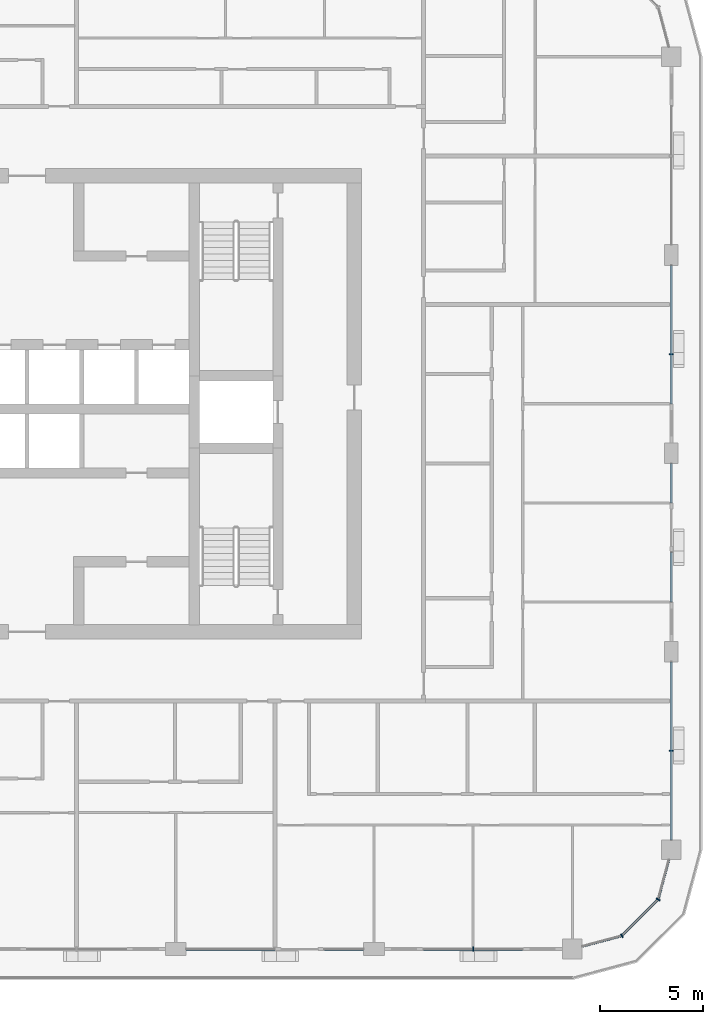
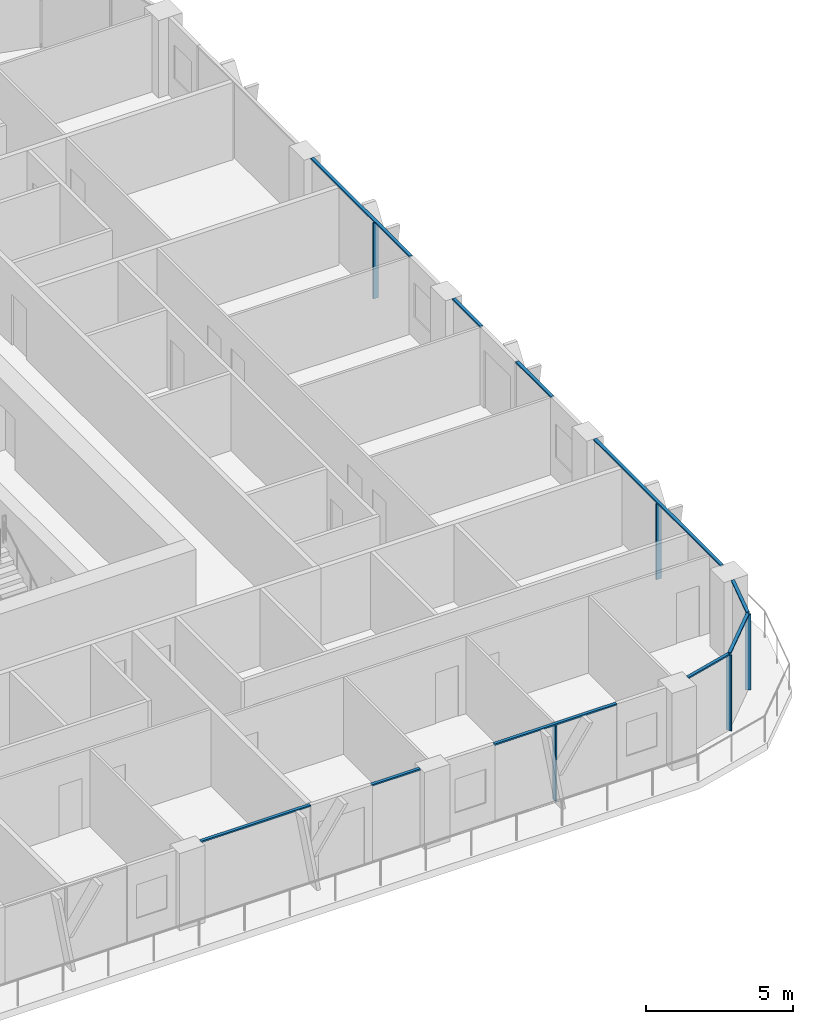
# One storey, part 4 of 21: 15 members, 6 elements without a shape of their own.
"""IFC4 building model written with IfcOpenShell, lengths in metres."""

from ifc_helpers import new_model, si_unit, direction, frame, origin, origin_2d, place, context, subcontext, project, spatial, rectangle, extrude, material, layer, layer_set, material_profile, profile_set, type_object, element, aggregate, save


model = new_model("IFC4")

# Units and contexts
model_context = context("Model", 3, precision=1e-05, world=origin(), true_north=direction((0.0, 1.0)))
body_context = subcontext(model_context, "Body", "Model", "MODEL_VIEW")
ifc_project = project(units=[si_unit("LENGTHUNIT", "METRE"), si_unit("AREAUNIT", "SQUARE_METRE"), si_unit("VOLUMEUNIT", "CUBIC_METRE"), si_unit("PLANEANGLEUNIT", "RADIAN"), si_unit("MASSUNIT", "GRAM", prefix="KILO")], contexts=[model_context])

# Site, building, storey
site_placement = place(None, origin())
site = spatial("IfcSite", under=ifc_project, at=site_placement, CompositionType="ELEMENT")
building_placement = place(site_placement, origin())
building = spatial("IfcBuilding", under=site, at=building_placement, Name="Madar Terraces", CompositionType="ELEMENT")
storey_placement = place(building_placement, frame((0.0, 0.0, 185.89990234375)))
storey = spatial("IfcBuildingStorey", under=building, at=storey_placement, Name="L48", CompositionType="ELEMENT", Elevation=185.89990234375)

# Curtain wall, member
ifc_material_1 = material(Name="Glass, ceramic frit dark grey, with black aluminium frame", Category="aluminium")
ifc_layer = layer(ifc_material_1, 0.199951171875)
ifc_layer_set = layer_set([ifc_layer], Name="Facade curtain wall, fritted glass")
curtain_wall_type = type_object("IfcCurtainWallType", Name="Facade curtain wall, fritted glass", PredefinedType="NOTDEFINED", material=ifc_layer_set)
curtain_wall_1_placement = place(storey_placement, origin())
curtain_wall_1 = element("IfcCurtainWall", 1, at=curtain_wall_1_placement, inside=storey, type_object=curtain_wall_type, Name="Outer skin curtain wall south bay 5", PredefinedType="NOTDEFINED")
ifc_material_2 = material(Name="Aluminium, black anodised", Category="aluminium")
ifc_material_profile_1 = material_profile(ifc_material_2, rectangle(XDim=0.199951171875, YDim=0.06005859375, at=origin_2d()), Name="Facade mullion 60x200")
ifc_profile_set_1 = profile_set([ifc_material_profile_1], Name="Aluminium, black anodised")
member_type_1 = type_object("IfcMemberType", Name="Facade mullion 60x200", PredefinedType="MULLION", material=ifc_profile_set_1)
member_1_placement = place(storey_placement, frame((52.800048828125, 0.0, 0.0), z_axis=(0.0, 0.0, 1.0), x_axis=(0.0, 1.0, 0.0)))
member_1 = element("IfcMember", 2, at=member_1_placement, type_object=member_type_1, Name="Mullion 1", PredefinedType="MULLION", context=body_context, shape_type="SweptSolid", body=[
    extrude(rectangle(XDim=0.199951171875, YDim=0.06005859375, at=origin_2d()), origin(), (0.0, 0.0, 1.0), 3.14013671875),
])

curtain_wall_2_placement = place(storey_placement, origin())
curtain_wall_2 = element("IfcCurtainWall", 3, at=curtain_wall_2_placement, inside=storey, type_object=curtain_wall_type, Name="Outer skin curtain wall east bay 1", PredefinedType="NOTDEFINED")
member_2_placement = place(storey_placement, frame((62.39990234375, 9.60009765625, 0.0), z_axis=(0.0, 0.0, 1.0), x_axis=(-1.0, 0.0, 0.0)))
member_2 = element("IfcMember", 4, at=member_2_placement, type_object=member_type_1, Name="Mullion 1", PredefinedType="MULLION", context=body_context, shape_type="SweptSolid", body=[
    extrude(rectangle(XDim=0.199951171875, YDim=0.06005859375, at=origin_2d()), origin(), (0.0, 0.0, 1.0), 3.14013671875),
])

curtain_wall_3_placement = place(storey_placement, origin())
curtain_wall_3 = element("IfcCurtainWall", 5, at=curtain_wall_3_placement, inside=storey, type_object=curtain_wall_type, Name="Outer skin curtain wall east bay 3", PredefinedType="NOTDEFINED")
member_3_placement = place(storey_placement, frame((62.39990234375, 28.800048828125, 0.0), z_axis=(0.0, 0.0, 1.0), x_axis=(-1.0, 0.0, 0.0)))
member_3 = element("IfcMember", 6, at=member_3_placement, type_object=member_type_1, Name="Mullion 1", PredefinedType="MULLION", context=body_context, shape_type="SweptSolid", body=[
    extrude(rectangle(XDim=0.199951171875, YDim=0.06005859375, at=origin_2d()), origin(), (0.0, 0.0, 1.0), 3.14013671875),
])

# Curtain wall, members
curtain_wall_4_placement = place(storey_placement, origin())
curtain_wall_4 = element("IfcCurtainWall", 7, at=curtain_wall_4_placement, inside=storey, type_object=curtain_wall_type, Name="Outer skin curtain wall south-east corner", PredefinedType="NOTDEFINED")
member_4_placement = place(storey_placement, frame((60.0, 0.64306640625, 0.0), z_axis=(0.0, 0.0, 1.0), x_axis=(-0.499999989586, 0.866025409797, 0.0)))
member_4 = element("IfcMember", 8, at=member_4_placement, type_object=member_type_1, Name="Mullion 1", PredefinedType="MULLION", context=body_context, shape_type="SweptSolid", body=[
    extrude(rectangle(XDim=0.199951171875, YDim=0.06005859375, at=origin_2d()), origin(), (0.0, 0.0, 1.0), 3.14013671875),
])
member_5_placement = place(storey_placement, frame((61.7568359375, 2.39990234375, 0.0), z_axis=(0.0, 0.0, 1.0), x_axis=(-0.866025409797, 0.499999989586, 0.0)))
member_5 = element("IfcMember", 9, at=member_5_placement, type_object=member_type_1, Name="Mullion 2", PredefinedType="MULLION", context=body_context, shape_type="SweptSolid", body=[
    extrude(rectangle(XDim=0.199951171875, YDim=0.06005859375, at=origin_2d()), origin(), (0.0, 0.0, 1.0), 3.14013671875),
])

curtain_wall_5_placement = place(storey_placement, origin())
curtain_wall_5 = element("IfcCurtainWall", 10, at=curtain_wall_5_placement, inside=storey, type_object=curtain_wall_type, Name="Outer skin curtain wall south bay 4", PredefinedType="NOTDEFINED")
ifc_material_3 = material(Name="Aluminium, black anodised", Category="aluminium")
ifc_material_profile_2 = material_profile(ifc_material_3, rectangle(XDim=0.1201171875, YDim=0.06005859375, at=origin_2d()), Name="Facade transom 60x120")
ifc_profile_set_2 = profile_set([ifc_material_profile_2], Name="Aluminium, black anodised")
member_type_2 = type_object("IfcMemberType", Name="Facade transom 60x120", PredefinedType="USERDEFINED", material=ifc_profile_set_2)
member_6_placement = place(storey_placement, frame((38.89990234375, 0.0, 3.170166015625), z_axis=(1.0, 0.0, 0.0), x_axis=(0.0, 1.0, 0.0)))
member_6 = element("IfcMember", 11, at=member_6_placement, type_object=member_type_2, Name="Transom 1", ObjectType="TRANSOM", PredefinedType="USERDEFINED", context=body_context, shape_type="SweptSolid", body=[
    extrude(rectangle(XDim=0.1201171875, YDim=0.06005859375, at=origin_2d()), origin(), (0.0, 0.0, 1.0), 4.300048828125),
])
member_7_placement = place(storey_placement, frame((45.60009765625, 0.0, 3.170166015625), z_axis=(1.0, 0.0, 0.0), x_axis=(0.0, 1.0, 0.0)))
member_7 = element("IfcMember", 12, at=member_7_placement, type_object=member_type_2, Name="Transom 2", ObjectType="TRANSOM", PredefinedType="USERDEFINED", context=body_context, shape_type="SweptSolid", body=[
    extrude(rectangle(XDim=0.1201171875, YDim=0.06005859375, at=origin_2d()), origin(), (0.0, 0.0, 1.0), 1.89990234375),
])
aggregate(curtain_wall_5, [member_6, member_7])

# Member
member_8_placement = place(storey_placement, frame((50.39990234375, 0.0, 3.170166015625), z_axis=(1.0, 0.0, 0.0), x_axis=(0.0, 1.0, 0.0)))
member_8 = element("IfcMember", 13, at=member_8_placement, type_object=member_type_2, Name="Transom 1", ObjectType="TRANSOM", PredefinedType="USERDEFINED", context=body_context, shape_type="SweptSolid", body=[
    extrude(rectangle(XDim=0.1201171875, YDim=0.06005859375, at=origin_2d()), origin(), (0.0, 0.0, 1.0), 4.800048828125),
])

aggregate(curtain_wall_1, [member_1, member_8])

member_9_placement = place(storey_placement, frame((62.39990234375, 5.27490234375, 3.170166015625), z_axis=(0.0, 1.0, 0.0), x_axis=(-1.0, 0.0, 0.0)))
member_9 = element("IfcMember", 14, at=member_9_placement, type_object=member_type_2, Name="Transom 1", ObjectType="TRANSOM", PredefinedType="USERDEFINED", context=body_context, shape_type="SweptSolid", body=[
    extrude(rectangle(XDim=0.1201171875, YDim=0.06005859375, at=origin_2d()), origin(), (0.0, 0.0, 1.0), 8.625),
])

aggregate(curtain_wall_2, [member_2, member_9])

# Curtain wall, members
curtain_wall_6_placement = place(storey_placement, origin())
curtain_wall_6 = element("IfcCurtainWall", 15, at=curtain_wall_6_placement, inside=storey, type_object=curtain_wall_type, Name="Outer skin curtain wall east bay 2", PredefinedType="NOTDEFINED")
member_10_placement = place(storey_placement, frame((62.39990234375, 16.800048828125, 3.170166015625), z_axis=(0.0, 1.0, 0.0), x_axis=(-1.0, 0.0, 0.0)))
member_10 = element("IfcMember", 16, at=member_10_placement, type_object=member_type_2, Name="Transom 1", ObjectType="TRANSOM", PredefinedType="USERDEFINED", context=body_context, shape_type="SweptSolid", body=[
    extrude(rectangle(XDim=0.1201171875, YDim=0.06005859375, at=origin_2d()), origin(), (0.0, 0.0, 1.0), 2.39990234375),
])
member_11_placement = place(storey_placement, frame((62.39990234375, 21.60009765625, 3.170166015625), z_axis=(0.0, 1.0, 0.0), x_axis=(-1.0, 0.0, 0.0)))
member_11 = element("IfcMember", 17, at=member_11_placement, type_object=member_type_2, Name="Transom 2", ObjectType="TRANSOM", PredefinedType="USERDEFINED", context=body_context, shape_type="SweptSolid", body=[
    extrude(rectangle(XDim=0.1201171875, YDim=0.06005859375, at=origin_2d()), origin(), (0.0, 0.0, 1.0), 1.89990234375),
])
aggregate(curtain_wall_6, [member_10, member_11])

# Member
member_12_placement = place(storey_placement, frame((62.39990234375, 26.39990234375, 3.170166015625), z_axis=(0.0, 1.0, 0.0), x_axis=(-1.0, 0.0, 0.0)))
member_12 = element("IfcMember", 18, at=member_12_placement, type_object=member_type_2, Name="Transom 1", ObjectType="TRANSOM", PredefinedType="USERDEFINED", context=body_context, shape_type="SweptSolid", body=[
    extrude(rectangle(XDim=0.1201171875, YDim=0.06005859375, at=origin_2d()), origin(), (0.0, 0.0, 1.0), 6.7001953125),
])

aggregate(curtain_wall_3, [member_3, member_12])

member_13_placement = place(storey_placement, frame((58.074951171875, 0.127197265625, 3.170166015625), z_axis=(0.96592251241, 0.258831412352, 0.0), x_axis=(-0.258831412352, 0.96592251241, 0.0)))
member_13 = element("IfcMember", 19, at=member_13_placement, type_object=member_type_2, Name="Transom 1", ObjectType="TRANSOM", PredefinedType="USERDEFINED", context=body_context, shape_type="SweptSolid", body=[
    extrude(rectangle(XDim=0.1201171875, YDim=0.06005859375, at=origin_2d()), origin(), (0.0, 0.0, 1.0), 1.962890625),
])

member_14_placement = place(storey_placement, frame((60.021240234375, 0.664306640625, 3.170166015625), z_axis=(0.707056433593, 0.707157125196, 0.0), x_axis=(-0.707157125196, 0.707056433593, 0.0)))
member_14 = element("IfcMember", 20, at=member_14_placement, type_object=member_type_2, Name="Transom 2", ObjectType="TRANSOM", PredefinedType="USERDEFINED", context=body_context, shape_type="SweptSolid", body=[
    extrude(rectangle(XDim=0.1201171875, YDim=0.06005859375, at=origin_2d()), origin(), (0.0, 0.0, 1.0), 2.424560546875),
])

member_15_placement = place(storey_placement, frame((61.7646484375, 2.428955078125, 3.170166015625), z_axis=(0.258831412352, 0.96592251241, 0.0), x_axis=(-0.96592251241, 0.258831412352, 0.0)))
member_15 = element("IfcMember", 21, at=member_15_placement, type_object=member_type_2, Name="Transom 3", ObjectType="TRANSOM", PredefinedType="USERDEFINED", context=body_context, shape_type="SweptSolid", body=[
    extrude(rectangle(XDim=0.1201171875, YDim=0.06005859375, at=origin_2d()), origin(), (0.0, 0.0, 1.0), 1.962890625),
])

aggregate(curtain_wall_4, [member_4, member_13, member_5, member_14, member_15])

save(model, "model.ifc")
